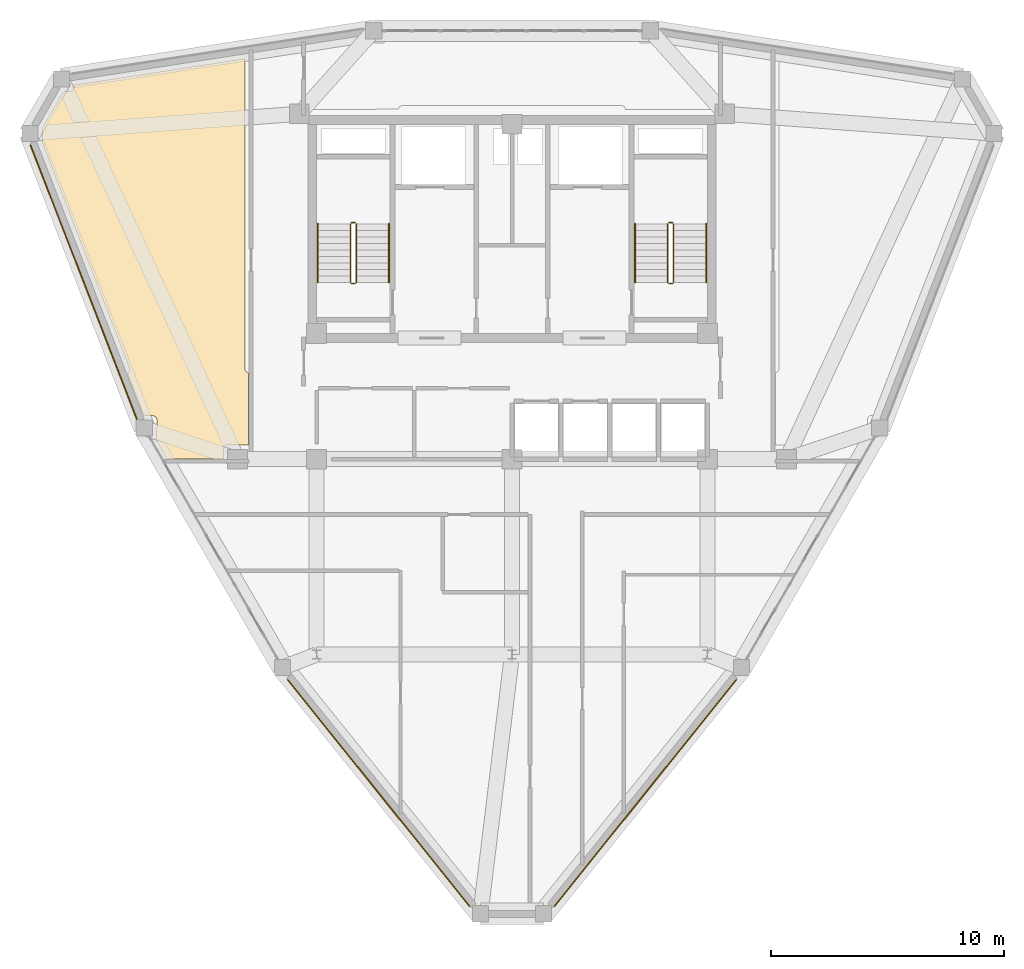
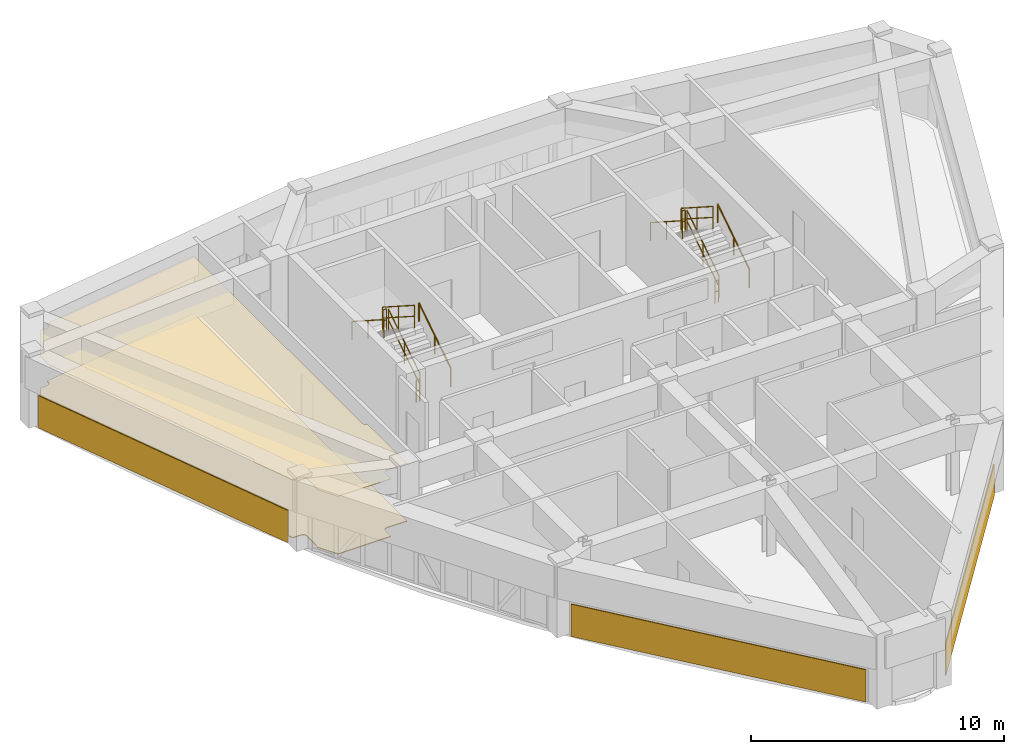
# One storey, part 13 of 14: 12 railings, 5 coverings.
"""IFC4 building model written with IfcOpenShell, lengths in metres."""

from ifc_helpers import new_model, si_unit, derived_unit, direction, frame, origin, origin_2d, place, context, subcontext, project, spatial, polyline, circle, outline, extrude, material, layer, layer_set, type_object, element, save


model = new_model("IFC4")

# Units and contexts
model_context = context("Model", 3, precision=1e-05, world=origin(), true_north=direction((0.0, 1.0)))
body_context = subcontext(model_context, "Body", "Model", "MODEL_VIEW")
ifc_project = project(units=[si_unit("LENGTHUNIT", "METRE"), si_unit("AREAUNIT", "SQUARE_METRE"), si_unit("VOLUMEUNIT", "CUBIC_METRE"), si_unit("PLANEANGLEUNIT", "RADIAN"), si_unit("MASSUNIT", "GRAM", prefix="KILO"), derived_unit("THERMALTRANSMITTANCEUNIT", [(si_unit("POWERUNIT", "WATT"), 1), (si_unit("LENGTHUNIT", "METRE"), -2), (si_unit("THERMODYNAMICTEMPERATUREUNIT", "KELVIN"), -1)])], contexts=[model_context])

# Site, building, storey
site_placement = place(None, origin())
site = spatial("IfcSite", under=ifc_project, at=site_placement, CompositionType="ELEMENT")
building_placement = place(site_placement, origin())
building = spatial("IfcBuilding", under=site, at=building_placement, Name="Korsvarv Bourse and Concert Hall", CompositionType="ELEMENT")
storey_placement = place(building_placement, frame((0.0, 0.0, 257.39990234375)))
storey = spatial("IfcBuildingStorey", under=building, at=storey_placement, Name="L67", CompositionType="ELEMENT", Elevation=257.39990234375)

# Coverings
ifc_material_1 = material(Name="Perforated mineral-wool and birch acoustic baffle ceiling", Category="wood")
ifc_layer_1 = layer(ifc_material_1, 0.02490234375)
ifc_layer_set_1 = layer_set([ifc_layer_1], Name="Perforated mineral-wool and birch acoustic baffle ceiling")
covering_type_1 = type_object("IfcCoveringType", Name="COV-CEIL-1", PredefinedType="CEILING", material=ifc_layer_set_1)
covering_1_placement = place(storey_placement, frame((0.0, 0.0, 2.7900390625)))
element("IfcCovering", 1, at=covering_1_placement, inside=storey, type_object=covering_type_1, Name="L67 acoustic baffle ceiling 1", PredefinedType="CEILING", context=body_context, shape_type="SweptSolid", body=[
    extrude(outline(polyline([(15.80078125, 46.001708984375), (15.8046875, 46.036376953125), (15.814208984375, 46.653076171875), (16.71240234375, 48.208984375), (16.9814453125, 48.208984375), (17.015625, 48.21240234375), (17.048583984375, 48.221923828125), (17.079345703125, 48.23779296875), (17.106201171875, 48.25927734375), (17.128662109375, 48.285400390625), (17.145751953125, 48.315185546875), (17.15673828125, 48.347900390625), (17.161376953125, 48.3818359375), (17.16552734375, 48.4873046875), (24.52001953125, 49.623779296875), (24.52001953125, 36.2900390625), (24.523681640625, 36.25390625), (24.53466796875, 36.218994140625), (24.55224609375, 36.187255859375), (24.575927734375, 36.15966796875), (24.604736328125, 36.13720703125), (24.637451171875, 36.12109375), (24.672607421875, 36.112060546875), (24.679931640625, 32.9990234375), (24.654541015625, 33.00390625), (23.777099609375, 33.014892578125), (23.741943359375, 33.011962890625), (23.708251953125, 33.002197265625), (23.677001953125, 32.986083984375), (23.6494140625, 32.964111328125), (23.626708984375, 32.937255859375), (23.60986328125, 32.906494140625), (23.59912109375, 32.872802734375), (23.594970703125, 32.837890625), (23.587890625, 32.409912109375), (21.243896484375, 32.409912109375), (21.206787109375, 32.40625), (21.173095703125, 32.3955078125), (20.6748046875, 33.258544921875), (20.689208984375, 33.276611328125), (20.705810546875, 33.30712890625), (20.71630859375, 33.340576171875), (20.72021484375, 33.375244140625), (20.730224609375, 34.085205078125), (20.727294921875, 34.120361328125), (20.7177734375, 34.154052734375), (20.70166015625, 34.185302734375), (20.6796875, 34.212890625), (20.65283203125, 34.235595703125), (20.622314453125, 34.252685546875), (20.5888671875, 34.263671875), (20.553955078125, 34.267822265625), (20.1748046875, 34.275390625), (19.45849609375, 36.1201171875), (19.480224609375, 36.1337890625), (19.506591796875, 36.157958984375), (19.52783203125, 36.18701171875), (19.54296875, 36.2197265625), (19.551025390625, 36.2548828125), (19.55224609375, 36.290771484375), (19.546142578125, 36.326171875), (15.80078125, 46.001708984375)])), origin(), (0.0, 0.0, 1.0), 0.025146484375),
])
ifc_material_2 = material(Name="Warm iron-oxide extruded terracotta rainscreen tile", Category="ceramic")
ifc_layer_2 = layer(ifc_material_2, 0.044921875)
ifc_layer_set_2 = layer_set([ifc_layer_2], Name="Warm iron-oxide extruded terracotta rainscreen tile")
covering_type_2 = type_object("IfcCoveringType", Name="COV-CLD-TC", PredefinedType="CLADDING", material=ifc_layer_set_2)
covering_2_placement = place(storey_placement, origin())
element("IfcCovering", 2, at=covering_2_placement, inside=storey, type_object=covering_type_2, Name="L67 fluted terracotta cladding panel EW-L67-B06", PredefinedType="CLADDING", context=body_context, shape_type="SweptSolid", body=[
    extrude(outline(polyline([(15.315673828125, 45.920654296875), (19.897705078125, 34.118408203125), (19.855712890625, 34.102294921875), (15.273681640625, 45.904296875), (15.315673828125, 45.920654296875)])), origin(), (0.0, 0.0, 1.0), 1.56005859375),
])
covering_3_placement = place(storey_placement, origin())
element("IfcCovering", 3, at=covering_3_placement, inside=storey, type_object=covering_type_2, Name="L67 fluted terracotta cladding panel EW-L67-B08", PredefinedType="CLADDING", context=body_context, shape_type="SweptSolid", body=[
    extrude(outline(polyline([(26.3662109375, 22.9375), (34.202880859375, 13.184814453125), (34.167724609375, 13.156494140625), (26.3310546875, 22.909423828125), (26.3662109375, 22.9375)])), origin(), (0.0, 0.0, 1.0), 1.56005859375),
])
covering_4_placement = place(storey_placement, origin())
element("IfcCovering", 4, at=covering_4_placement, inside=storey, type_object=covering_type_2, Name="L67 fluted terracotta cladding panel EW-L67-B10", PredefinedType="CLADDING", context=body_context, shape_type="SweptSolid", body=[
    extrude(outline(polyline([(37.797119140625, 13.184814453125), (45.6337890625, 22.9375), (45.6689453125, 22.909423828125), (37.832275390625, 13.156494140625), (37.797119140625, 13.184814453125)])), origin(), (0.0, 0.0, 1.0), 1.56005859375),
])
ifc_material_3 = material(Name="Calcium-sulphate raised access trading floor with Nordic oak top", Category="wood")
ifc_layer_3 = layer(ifc_material_3, 0.0400390625)
ifc_layer_set_3 = layer_set([ifc_layer_3], Name="Calcium-sulphate raised access trading floor with Nordic oak top")
covering_type_3 = type_object("IfcCoveringType", Name="COV-FLOR-1", PredefinedType="FLOORING", material=ifc_layer_set_3)
covering_5_placement = place(storey_placement, origin())
element("IfcCovering", 5, at=covering_5_placement, inside=storey, type_object=covering_type_3, Name="L67 raised access oak floor finish 1", PredefinedType="FLOORING", context=body_context, shape_type="SweptSolid", body=[
    extrude(outline(polyline([(15.80078125, 46.001708984375), (15.8046875, 46.036376953125), (15.814208984375, 46.653076171875), (16.71240234375, 48.208984375), (16.9814453125, 48.208984375), (17.015625, 48.21240234375), (17.048583984375, 48.221923828125), (17.079345703125, 48.23779296875), (17.106201171875, 48.25927734375), (17.128662109375, 48.285400390625), (17.145751953125, 48.315185546875), (17.15673828125, 48.347900390625), (17.161376953125, 48.3818359375), (17.16552734375, 48.4873046875), (24.52001953125, 49.623779296875), (24.52001953125, 36.2900390625), (24.523681640625, 36.25390625), (24.53466796875, 36.218994140625), (24.55224609375, 36.187255859375), (24.575927734375, 36.15966796875), (24.604736328125, 36.13720703125), (24.637451171875, 36.12109375), (24.672607421875, 36.112060546875), (24.679931640625, 32.9990234375), (24.654541015625, 33.00390625), (23.777099609375, 33.014892578125), (23.741943359375, 33.011962890625), (23.708251953125, 33.002197265625), (23.677001953125, 32.986083984375), (23.6494140625, 32.964111328125), (23.626708984375, 32.937255859375), (23.60986328125, 32.906494140625), (23.59912109375, 32.872802734375), (23.594970703125, 32.837890625), (23.587890625, 32.409912109375), (21.243896484375, 32.409912109375), (21.206787109375, 32.40625), (21.173095703125, 32.3955078125), (20.6748046875, 33.258544921875), (20.689208984375, 33.276611328125), (20.705810546875, 33.30712890625), (20.71630859375, 33.340576171875), (20.72021484375, 33.375244140625), (20.730224609375, 34.085205078125), (20.727294921875, 34.120361328125), (20.7177734375, 34.154052734375), (20.70166015625, 34.185302734375), (20.6796875, 34.212890625), (20.65283203125, 34.235595703125), (20.622314453125, 34.252685546875), (20.5888671875, 34.263671875), (20.553955078125, 34.267822265625), (20.1748046875, 34.275390625), (19.45849609375, 36.1201171875), (19.480224609375, 36.1337890625), (19.506591796875, 36.157958984375), (19.52783203125, 36.18701171875), (19.54296875, 36.2197265625), (19.551025390625, 36.2548828125), (19.55224609375, 36.290771484375), (19.546142578125, 36.326171875), (15.80078125, 46.001708984375)])), origin(), (0.0, 0.0, 1.0), 0.0400390625),
])

# Railings
ifc_material_4 = material(Name="Painted Steel S355 stair well guardrail", Category="steel")
railing_type_1 = type_object("IfcRailingType", Name="RL-ST-GRD", PredefinedType="GUARDRAIL", material=ifc_material_4)
railing_1_placement = place(storey_placement, frame((29.31005859375, 40.0, 0.18017578125)))
element("IfcRailing", 6, at=railing_1_placement, inside=storey, type_object=railing_type_1, Name="L67 ST-T1 stair guard 1", PredefinedType="GUARDRAIL", context=body_context, shape_type="SweptSolid", body=[
    extrude(circle(Radius=0.02392578125, at=origin_2d()), frame((0.0, 0.0, 1.076171875), z_axis=(0.0, 0.841199657755, 0.540724639528), x_axis=(-1.0, 0.0, 0.0)), (0.0, 0.0, 1.0), 2.995849609375),
    extrude(circle(Radius=0.02392578125, at=origin_2d()), frame((0.0, 0.0, 0.550048828125), z_axis=(0.0, 0.841199657755, 0.540724639528), x_axis=(-1.0, 0.0, 0.0)), (0.0, 0.0, 1.0), 2.995849609375),
    extrude(circle(Radius=0.02099609375, at=origin_2d()), origin(), (0.0, 0.0, 1.0), 1.052001953125),
    extrude(circle(Radius=0.02099609375, at=origin_2d()), frame((0.0, 1.260009765625, 0.81005859375)), (0.0, 0.0, 1.0), 1.052001953125),
    extrude(circle(Radius=0.02099609375, at=origin_2d()), frame((0.0, 2.52001953125, 1.619873046875)), (0.0, 0.0, 1.0), 1.052001953125),
])
railing_2_placement = place(storey_placement, frame((29.260009765625, 42.570068359375, 1.800048828125)))
element("IfcRailing", 7, at=railing_2_placement, inside=storey, type_object=railing_type_1, Name="L67 ST-T1 stair guard 2", PredefinedType="GUARDRAIL", context=body_context, shape_type="SweptSolid", body=[
    extrude(circle(Radius=0.02392578125, at=origin_2d()), frame((0.0, 0.0, 1.076171875), z_axis=(-1.0, 0.0, 0.0), x_axis=(0.0, -1.0, 0.0)), (0.0, 0.0, 1.0), 0.159912109375),
    extrude(circle(Radius=0.02392578125, at=origin_2d()), frame((0.0, 0.0, 0.550048828125), z_axis=(-1.0, 0.0, 0.0), x_axis=(0.0, -1.0, 0.0)), (0.0, 0.0, 1.0), 0.159912109375),
    extrude(circle(Radius=0.02099609375, at=origin_2d()), origin(), (0.0, 0.0, 1.0), 1.052001953125),
    extrude(circle(Radius=0.02099609375, at=origin_2d()), frame((-0.159912109375, 0.0, 0.0)), (0.0, 0.0, 1.0), 1.052001953125),
])
railing_3_placement = place(storey_placement, frame((29.050048828125, 42.52001953125, 1.97998046875)))
element("IfcRailing", 8, at=railing_3_placement, inside=storey, type_object=railing_type_1, Name="L67 ST-T1 stair guard 3", PredefinedType="GUARDRAIL", context=body_context, shape_type="SweptSolid", body=[
    extrude(circle(Radius=0.02392578125, at=origin_2d()), frame((0.0, 0.0, 1.076171875), z_axis=(0.0, -0.841162588446, 0.540782303519), x_axis=(1.0, 0.0, 0.0)), (0.0, 0.0, 1.0), 2.995849609375),
    extrude(circle(Radius=0.02392578125, at=origin_2d()), frame((0.0, 0.0, 0.550048828125), z_axis=(0.0, -0.841162588446, 0.540782303519), x_axis=(1.0, 0.0, 0.0)), (0.0, 0.0, 1.0), 2.995849609375),
    extrude(circle(Radius=0.02099609375, at=origin_2d()), origin(), (0.0, 0.0, 1.0), 1.052001953125),
    extrude(circle(Radius=0.02099609375, at=origin_2d()), frame((0.0, -1.260009765625, 0.81005859375)), (0.0, 0.0, 1.0), 1.052001953125),
    extrude(circle(Radius=0.02099609375, at=origin_2d()), frame((0.0, -2.52001953125, 1.6201171875)), (0.0, 0.0, 1.0), 1.052001953125),
])
railing_4_placement = place(storey_placement, frame((29.260009765625, 39.949951171875, 0.0)))
element("IfcRailing", 9, at=railing_4_placement, inside=storey, type_object=railing_type_1, Name="L67 ST-T1 stair guard 4", PredefinedType="GUARDRAIL", context=body_context, shape_type="SweptSolid", body=[
    extrude(circle(Radius=0.02392578125, at=origin_2d()), frame((0.0, 0.0, 1.076171875), z_axis=(-1.0, 0.0, 0.0), x_axis=(0.0, -1.0, 0.0)), (0.0, 0.0, 1.0), 0.159912109375),
    extrude(circle(Radius=0.02392578125, at=origin_2d()), frame((0.0, 0.0, 0.550048828125), z_axis=(-1.0, 0.0, 0.0), x_axis=(0.0, -1.0, 0.0)), (0.0, 0.0, 1.0), 0.159912109375),
    extrude(circle(Radius=0.02099609375, at=origin_2d()), origin(), (0.0, 0.0, 1.0), 1.052001953125),
    extrude(circle(Radius=0.02099609375, at=origin_2d()), frame((-0.159912109375, 0.0, 0.0)), (0.0, 0.0, 1.0), 1.052001953125),
])
railing_5_placement = place(storey_placement, frame((42.949951171875, 40.0, 0.18017578125)))
element("IfcRailing", 10, at=railing_5_placement, inside=storey, type_object=railing_type_1, Name="L67 ST-T2 stair guard 1", PredefinedType="GUARDRAIL", context=body_context, shape_type="SweptSolid", body=[
    extrude(circle(Radius=0.02392578125, at=origin_2d()), frame((0.0, 0.0, 1.076171875), z_axis=(0.0, 0.841199657755, 0.540724639528), x_axis=(-1.0, 0.0, 0.0)), (0.0, 0.0, 1.0), 2.995849609375),
    extrude(circle(Radius=0.02392578125, at=origin_2d()), frame((0.0, 0.0, 0.550048828125), z_axis=(0.0, 0.841199657755, 0.540724639528), x_axis=(-1.0, 0.0, 0.0)), (0.0, 0.0, 1.0), 2.995849609375),
    extrude(circle(Radius=0.02099609375, at=origin_2d()), origin(), (0.0, 0.0, 1.0), 1.052001953125),
    extrude(circle(Radius=0.02099609375, at=origin_2d()), frame((0.0, 1.260009765625, 0.81005859375)), (0.0, 0.0, 1.0), 1.052001953125),
    extrude(circle(Radius=0.02099609375, at=origin_2d()), frame((0.0, 2.52001953125, 1.619873046875)), (0.0, 0.0, 1.0), 1.052001953125),
])
railing_6_placement = place(storey_placement, frame((42.89990234375, 42.570068359375, 1.800048828125)))
element("IfcRailing", 11, at=railing_6_placement, inside=storey, type_object=railing_type_1, Name="L67 ST-T2 stair guard 2", PredefinedType="GUARDRAIL", context=body_context, shape_type="SweptSolid", body=[
    extrude(circle(Radius=0.02392578125, at=origin_2d()), frame((0.0, 0.0, 1.076171875), z_axis=(-1.0, 0.0, 0.0), x_axis=(0.0, -1.0, 0.0)), (0.0, 0.0, 1.0), 0.159912109375),
    extrude(circle(Radius=0.02392578125, at=origin_2d()), frame((0.0, 0.0, 0.550048828125), z_axis=(-1.0, 0.0, 0.0), x_axis=(0.0, -1.0, 0.0)), (0.0, 0.0, 1.0), 0.159912109375),
    extrude(circle(Radius=0.02099609375, at=origin_2d()), origin(), (0.0, 0.0, 1.0), 1.052001953125),
    extrude(circle(Radius=0.02099609375, at=origin_2d()), frame((-0.159912109375, 0.0, 0.0)), (0.0, 0.0, 1.0), 1.052001953125),
])
railing_7_placement = place(storey_placement, frame((42.68994140625, 42.52001953125, 1.97998046875)))
element("IfcRailing", 12, at=railing_7_placement, inside=storey, type_object=railing_type_1, Name="L67 ST-T2 stair guard 3", PredefinedType="GUARDRAIL", context=body_context, shape_type="SweptSolid", body=[
    extrude(circle(Radius=0.02392578125, at=origin_2d()), frame((0.0, 0.0, 1.076171875), z_axis=(0.0, -0.841162588446, 0.540782303519), x_axis=(1.0, 0.0, 0.0)), (0.0, 0.0, 1.0), 2.995849609375),
    extrude(circle(Radius=0.02392578125, at=origin_2d()), frame((0.0, 0.0, 0.550048828125), z_axis=(0.0, -0.841162588446, 0.540782303519), x_axis=(1.0, 0.0, 0.0)), (0.0, 0.0, 1.0), 2.995849609375),
    extrude(circle(Radius=0.02099609375, at=origin_2d()), origin(), (0.0, 0.0, 1.0), 1.052001953125),
    extrude(circle(Radius=0.02099609375, at=origin_2d()), frame((0.0, -1.260009765625, 0.81005859375)), (0.0, 0.0, 1.0), 1.052001953125),
    extrude(circle(Radius=0.02099609375, at=origin_2d()), frame((0.0, -2.52001953125, 1.6201171875)), (0.0, 0.0, 1.0), 1.052001953125),
])
railing_8_placement = place(storey_placement, frame((42.89990234375, 39.949951171875, 0.0)))
element("IfcRailing", 13, at=railing_8_placement, inside=storey, type_object=railing_type_1, Name="L67 ST-T2 stair guard 4", PredefinedType="GUARDRAIL", context=body_context, shape_type="SweptSolid", body=[
    extrude(circle(Radius=0.02392578125, at=origin_2d()), frame((0.0, 0.0, 1.076171875), z_axis=(-1.0, 0.0, 0.0), x_axis=(0.0, -1.0, 0.0)), (0.0, 0.0, 1.0), 0.159912109375),
    extrude(circle(Radius=0.02392578125, at=origin_2d()), frame((0.0, 0.0, 0.550048828125), z_axis=(-1.0, 0.0, 0.0), x_axis=(0.0, -1.0, 0.0)), (0.0, 0.0, 1.0), 0.159912109375),
    extrude(circle(Radius=0.02099609375, at=origin_2d()), origin(), (0.0, 0.0, 1.0), 1.052001953125),
    extrude(circle(Radius=0.02099609375, at=origin_2d()), frame((-0.159912109375, 0.0, 0.0)), (0.0, 0.0, 1.0), 1.052001953125),
])
ifc_material_5 = material(Name="Brushed stainless Steel S355 tubular handrail", Category="steel")
railing_type_2 = type_object("IfcRailingType", Name="RL-ST-HND", PredefinedType="HANDRAIL", material=ifc_material_5)
railing_9_placement = place(storey_placement, frame((30.7099609375, 40.0, 0.18017578125)))
element("IfcRailing", 14, at=railing_9_placement, inside=storey, type_object=railing_type_2, Name="L67 ST-T1 stair handrail 1", PredefinedType="HANDRAIL", context=body_context, shape_type="SweptSolid", body=[
    extrude(circle(Radius=0.02392578125, at=origin_2d()), frame((0.0, 0.0, 0.8759765625), z_axis=(0.0, 0.841199657755, 0.540724639528), x_axis=(-1.0, 0.0, 0.0)), (0.0, 0.0, 1.0), 2.995849609375),
    extrude(circle(Radius=0.02099609375, at=origin_2d()), origin(), (0.0, 0.0, 1.0), 0.851806640625),
    extrude(circle(Radius=0.02099609375, at=origin_2d()), frame((0.0, 1.260009765625, 0.81005859375)), (0.0, 0.0, 1.0), 0.851806640625),
    extrude(circle(Radius=0.02099609375, at=origin_2d()), frame((0.0, 2.52001953125, 1.619873046875)), (0.0, 0.0, 1.0), 0.851806640625),
])
railing_10_placement = place(storey_placement, frame((27.64990234375, 42.52001953125, 1.97998046875)))
element("IfcRailing", 15, at=railing_10_placement, inside=storey, type_object=railing_type_2, Name="L67 ST-T1 stair handrail 2", PredefinedType="HANDRAIL", context=body_context, shape_type="SweptSolid", body=[
    extrude(circle(Radius=0.02392578125, at=origin_2d()), frame((0.0, 0.0, 0.8759765625), z_axis=(0.0, -0.841162588446, 0.540782303519), x_axis=(1.0, 0.0, 0.0)), (0.0, 0.0, 1.0), 2.995849609375),
    extrude(circle(Radius=0.02099609375, at=origin_2d()), origin(), (0.0, 0.0, 1.0), 0.851806640625),
    extrude(circle(Radius=0.02099609375, at=origin_2d()), frame((0.0, -1.260009765625, 0.81005859375)), (0.0, 0.0, 1.0), 0.851806640625),
    extrude(circle(Radius=0.02099609375, at=origin_2d()), frame((0.0, -2.52001953125, 1.6201171875)), (0.0, 0.0, 1.0), 0.851806640625),
])
railing_11_placement = place(storey_placement, frame((44.35009765625, 40.0, 0.18017578125)))
element("IfcRailing", 16, at=railing_11_placement, inside=storey, type_object=railing_type_2, Name="L67 ST-T2 stair handrail 1", PredefinedType="HANDRAIL", context=body_context, shape_type="SweptSolid", body=[
    extrude(circle(Radius=0.02392578125, at=origin_2d()), frame((0.0, 0.0, 0.8759765625), z_axis=(0.0, 0.841199657755, 0.540724639528), x_axis=(-1.0, 0.0, 0.0)), (0.0, 0.0, 1.0), 2.995849609375),
    extrude(circle(Radius=0.02099609375, at=origin_2d()), origin(), (0.0, 0.0, 1.0), 0.851806640625),
    extrude(circle(Radius=0.02099609375, at=origin_2d()), frame((0.0, 1.260009765625, 0.81005859375)), (0.0, 0.0, 1.0), 0.851806640625),
    extrude(circle(Radius=0.02099609375, at=origin_2d()), frame((0.0, 2.52001953125, 1.619873046875)), (0.0, 0.0, 1.0), 0.851806640625),
])
railing_12_placement = place(storey_placement, frame((41.2900390625, 42.52001953125, 1.97998046875)))
element("IfcRailing", 17, at=railing_12_placement, inside=storey, type_object=railing_type_2, Name="L67 ST-T2 stair handrail 2", PredefinedType="HANDRAIL", context=body_context, shape_type="SweptSolid", body=[
    extrude(circle(Radius=0.02392578125, at=origin_2d()), frame((0.0, 0.0, 0.8759765625), z_axis=(0.0, -0.841162588446, 0.540782303519), x_axis=(1.0, 0.0, 0.0)), (0.0, 0.0, 1.0), 2.995849609375),
    extrude(circle(Radius=0.02099609375, at=origin_2d()), origin(), (0.0, 0.0, 1.0), 0.851806640625),
    extrude(circle(Radius=0.02099609375, at=origin_2d()), frame((0.0, -1.260009765625, 0.81005859375)), (0.0, 0.0, 1.0), 0.851806640625),
    extrude(circle(Radius=0.02099609375, at=origin_2d()), frame((0.0, -2.52001953125, 1.6201171875)), (0.0, 0.0, 1.0), 0.851806640625),
])

save(model, "model.ifc")
